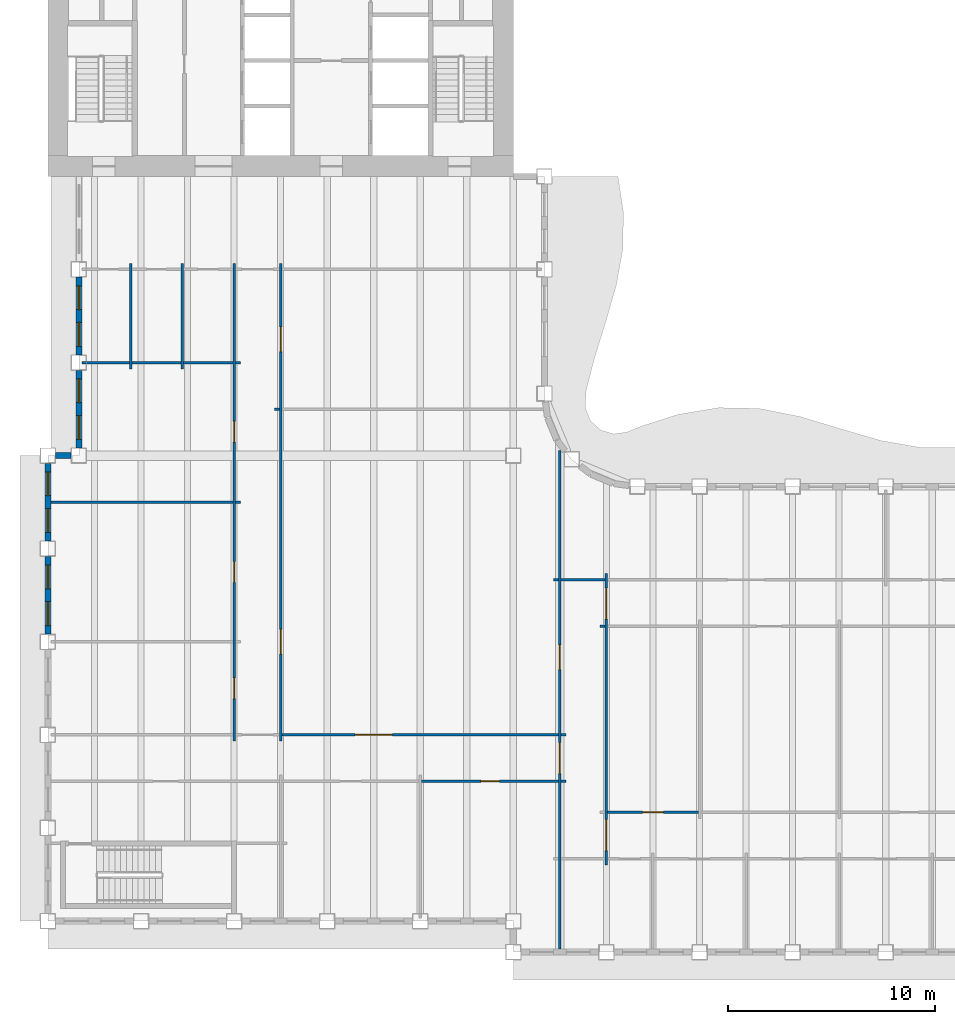
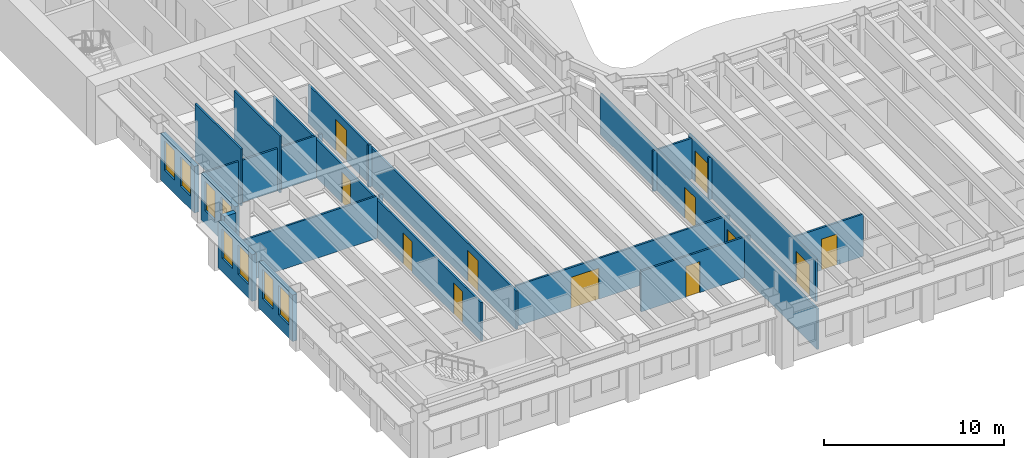
# One storey, part 4 of 16: 26 walls, 12 doors, 8 windows, 20 openings.
"""IFC4 building model written with IfcOpenShell, lengths in metres."""

import ifcopenshell
import ifcopenshell.guid

model = None  # the IFC model being written
_history = None  # IfcOwnerHistory: only IFC2X3 demands one
_inside = {}  # id of a spatial element -> (the spatial element, [elements in it])
_under = {}  # id of a project, library or spatial element -> (it, [spatial elements below it])
_declared = {}  # id of a project -> (the project, [libraries it declares])
_typed = {}  # id of a type object -> (the type object, [elements of that type])
_made_of = {}  # id of a material, layer set ... -> (it, [elements and type objects made of it])


def new_model(schema):
    """Start an empty IFC model of exactly this schema.

    Asked for "IFC4X3", IfcOpenShell would pick the latest addendum, in which some entities
    have other attributes; the version numbers below select the first issue.
    IFC2X3 requires an IfcOwnerHistory on every rooted entity: one is made here for all.
    """
    global model, _history
    if schema == "IFC4X3":
        model = ifcopenshell.file(schema_version=(4, 3, 0, 0))
    else:
        model = ifcopenshell.file(schema=schema)
    _inside.clear()
    _under.clear()
    _declared.clear()
    _typed.clear()
    _made_of.clear()
    _history = None
    if model.schema == "IFC2X3":
        org = make("IfcOrganization", Name="unknown")
        user = make(
            "IfcPersonAndOrganization",
            ThePerson=make("IfcPerson", FamilyName="unknown"),
            TheOrganization=org,
        )
        app = make(
            "IfcApplication",
            ApplicationDeveloper=org,
            Version="unknown",
            ApplicationFullName="unknown",
            ApplicationIdentifier="unknown",
        )
        _history = make(
            "IfcOwnerHistory",
            OwningUser=user,
            OwningApplication=app,
            ChangeAction="ADDED",
            CreationDate=0,
        )
    return model


def make(cls, **values):
    """One entity of the class cls with the attributes given. An attribute that is None is left unset."""
    return model.create_entity(
        cls, **{name: value for name, value in values.items() if value is not None}
    )


def rooted(cls, **values):
    """An entity with a GlobalId (a new one), such as an element, a storey or a relation."""
    return make(cls, GlobalId=ifcopenshell.guid.new(), OwnerHistory=_history, **values)


def si_unit(unit_type, name, prefix=None):
    """IfcSIUnit, for example si_unit("LENGTHUNIT", "METRE", prefix="MILLI")."""
    return make("IfcSIUnit", UnitType=unit_type, Prefix=prefix, Name=name)


def assignment(units):
    """IfcUnitAssignment: the units of a project."""
    return None if units is None else make("IfcUnitAssignment", Units=units)


def point(xyz):
    """IfcCartesianPoint."""
    return None if xyz is None else make("IfcCartesianPoint", Coordinates=xyz)


def direction(xyz):
    """IfcDirection."""
    return None if xyz is None else make("IfcDirection", DirectionRatios=xyz)


def frame(location, z_axis=None, x_axis=None):
    """IfcAxis2Placement3D, a coordinate frame: its origin and axes. An axis left out is left unset."""
    return make(
        "IfcAxis2Placement3D",
        Location=point(location),
        Axis=direction(z_axis),
        RefDirection=direction(x_axis),
    )


def frame_2d(location, x_axis=None):
    """IfcAxis2Placement2D, a coordinate frame in the plane: its origin and x axis."""
    return make(
        "IfcAxis2Placement2D", Location=point(location), RefDirection=direction(x_axis)
    )


def origin():
    """The frame at (0, 0, 0) with its axes left unset."""
    return frame((0.0, 0.0, 0.0))


def place(relative_to, where):
    """IfcLocalPlacement: puts the frame where relative to a parent placement (None: the world)."""
    return make(
        "IfcLocalPlacement", PlacementRelTo=relative_to, RelativePlacement=where
    )


def context(
    kind, dimensions, precision=None, world=None, true_north=None, identifier=None
):
    """IfcGeometricRepresentationContext, for example the 3D "Model" context."""
    return make(
        "IfcGeometricRepresentationContext",
        ContextIdentifier=identifier,
        ContextType=kind,
        CoordinateSpaceDimension=dimensions,
        Precision=precision,
        WorldCoordinateSystem=world,
        TrueNorth=true_north,
    )


def subcontext(parent, identifier, kind, view, scale=None):
    """IfcGeometricRepresentationSubContext, for example "Body" below "Model"."""
    return make(
        "IfcGeometricRepresentationSubContext",
        ContextIdentifier=identifier,
        ContextType=kind,
        ParentContext=parent,
        TargetScale=scale,
        TargetView=view,
    )


def project(units=None, contexts=None):
    """IfcProject with its units and contexts."""
    return rooted(
        "IfcProject",
        Name="project",
        RepresentationContexts=contexts,
        UnitsInContext=assignment(units),
    )


def spatial(cls, under=None, at=None, **own):
    """A site, building, storey or space (cls), placed at a placement, below another one or the project."""
    s = rooted(cls, ObjectPlacement=at, **own)
    if under is not None:
        _under.setdefault(under.id(), (under, []))[1].append(s)
    return s


def profile(cls, at=None, kind="AREA", **sizes):
    """A parametric profile (cls). Its sizes go by their IFC names, for example OverallWidth=200.0."""
    return make(cls, ProfileType=kind, Position=at, **sizes)


def rectangle(**sizes):
    """IfcRectangleProfileDef."""
    return profile("IfcRectangleProfileDef", **sizes)


def extrude(swept, where, along, depth):
    """IfcExtrudedAreaSolid: the profile swept, set in the frame where, extruded along a direction by depth."""
    return make(
        "IfcExtrudedAreaSolid",
        SweptArea=swept,
        Position=where,
        ExtrudedDirection=direction(along),
        Depth=depth,
    )


def shape(context_of_items, identifier, shape_type, items):
    """IfcShapeRepresentation: the items that make up one representation, for example the "Body"."""
    return make(
        "IfcShapeRepresentation",
        ContextOfItems=context_of_items,
        RepresentationIdentifier=identifier,
        RepresentationType=shape_type,
        Items=items,
    )


def material(Name=None, Category=None):
    """IfcMaterial."""
    return make("IfcMaterial", Name=Name, Category=Category)


def layer(
    of_material, thickness, ventilated=None, Name=None, Category=None, Priority=None
):
    """IfcMaterialLayer: one layer of a wall or slab, of a material (None: an air gap)."""
    return make(
        "IfcMaterialLayer",
        Material=of_material,
        LayerThickness=thickness,
        IsVentilated=ventilated,
        Name=Name,
        Category=Category,
        Priority=Priority,
    )


def layer_set(layers, Name=None):
    """IfcMaterialLayerSet."""
    return make("IfcMaterialLayerSet", MaterialLayers=layers, LayerSetName=Name)


def made_of(thing, what):
    """Note that an element or type object is made of a material, layer set ...; save() writes the relation."""
    if what is not None:
        _made_of.setdefault(what.id(), (what, []))[1].append(thing)
    return thing


def type_object(cls, material=None, **own):
    """A type object (cls), such as IfcWallType, which elements share."""
    return made_of(rooted(cls, **own), material)


def element(
    cls,
    number,
    at=None,
    inside=None,
    cuts=None,
    type_object=None,
    material=None,
    context=None,
    identifier="Body",
    shape_type=None,
    held_by="IfcProductDefinitionShape",
    body=None,
    shapes=None,
    **own,
):
    """One element of the class cls, such as IfcWall. Its Tag is "e" and its number.

    at: its placement. inside: the storey or other place that contains it. cuts: it is an
    opening in that element (IfcRelVoidsElement). A single representation is given by context,
    identifier, shape_type and body (its items); several are given by shapes. held_by: the class
    of the entity that holds the representations. save() writes the other relations.
    """
    e = rooted(cls, Tag="e%d" % number, ObjectPlacement=at, **own)
    if body is not None:
        shapes = [shape(context, identifier, shape_type, body)]
    if shapes is not None:
        e.Representation = make(held_by, Representations=shapes)
    if inside is not None:
        _inside.setdefault(inside.id(), (inside, []))[1].append(e)
    if cuts is not None:
        rooted(
            "IfcRelVoidsElement", RelatingBuildingElement=cuts, RelatedOpeningElement=e
        )
    if type_object is not None:
        _typed.setdefault(type_object.id(), (type_object, []))[1].append(e)
    return made_of(e, material)


def fill(opening, filler):
    """IfcRelFillsElement: the door or window that sits in an opening."""
    return rooted(
        "IfcRelFillsElement",
        RelatingOpeningElement=opening,
        RelatedBuildingElement=filler,
    )


def aggregate(whole, parts):
    """IfcRelAggregates: a whole, such as a stair, and the parts it consists of."""
    return rooted("IfcRelAggregates", RelatingObject=whole, RelatedObjects=parts)


def save(model, path):
    """Write the relations noted so far, then the file.

    IfcRelAggregates (storeys below a building ...), IfcRelContainedInSpatialStructure (elements
    in a storey), IfcRelDefinesByType, IfcRelAssociatesMaterial and IfcRelDeclares: one each for
    every whole, place, type object, material and project.
    """
    for whole, parts in _under.values():
        aggregate(whole, parts)
    for where, things in _inside.values():
        rooted(
            "IfcRelContainedInSpatialStructure",
            RelatedElements=things,
            RelatingStructure=where,
        )
    for kind, things in _typed.values():
        rooted("IfcRelDefinesByType", RelatedObjects=things, RelatingType=kind)
    for what, things in _made_of.values():
        rooted("IfcRelAssociatesMaterial", RelatedObjects=things, RelatingMaterial=what)
    for by, libraries in _declared.values():
        rooted("IfcRelDeclares", RelatingContext=by, RelatedDefinitions=libraries)
    model.write(path)


model = new_model("IFC4")

# Units and contexts
model_context = context("Model", 3, precision=1e-05, world=origin(), true_north=direction((0.0, 1.0)))
body_context = subcontext(model_context, "Body", "Model", "MODEL_VIEW")
ifc_project = project(units=[si_unit("LENGTHUNIT", "METRE"), si_unit("AREAUNIT", "SQUARE_METRE"), si_unit("VOLUMEUNIT", "CUBIC_METRE"), si_unit("PLANEANGLEUNIT", "RADIAN"), si_unit("MASSUNIT", "GRAM", prefix="KILO")], contexts=[model_context])

# Site, building, storey
site_placement = place(None, origin())
site = spatial("IfcSite", under=ifc_project, at=site_placement, CompositionType="ELEMENT")
building_placement = place(site_placement, origin())
building = spatial("IfcBuilding", under=site, at=building_placement, Name="Sennacour Bend Tower", CompositionType="ELEMENT")
storey_placement = place(building_placement, frame((0.0, 0.0, 223.0)))
storey = spatial("IfcBuildingStorey", under=building, at=storey_placement, Name="L51", CompositionType="ELEMENT", Elevation=223.0)

# Walls
ifc_material_1 = material(Name="Plasterboard partition on steel studs", Category="steel")
ifc_layer_1 = layer(ifc_material_1, 0.1201171875, Name="Plasterboard partition on steel studs", Category="steel")
ifc_layer_set_1 = layer_set([ifc_layer_1], Name="Plasterboard partition on steel studs")
wall_type_1 = type_object("IfcWallType", Name="Partition 120", PredefinedType="PARTITIONING", material=ifc_layer_set_1)
for number, where, z_axis, x_axis, name in (
    (1, (4.0, 26.699951171875, 0.0), (0.0, 0.0, 1.0), (0.0, 1.0, 0.0), "P-L51-W005a"),
    (2, (6.5, 26.699951171875, 0.0), (0.0, 0.0, 1.0), (0.0, 1.0, 0.0), "P-L51-W008a"),
):
    element("IfcWall", number, at=place(storey_placement, frame(where, z_axis=z_axis, x_axis=x_axis)), inside=storey, type_object=wall_type_1, Name=name, PredefinedType="PARTITIONING", context=body_context, shape_type="SweptSolid", body=[
        extrude(rectangle(XDim=5.10009765625, YDim=0.1201171875, at=frame_2d((2.550048828125, 0.0))), origin(), (0.0, 0.0, 1.0), 3.85009765625),
    ])

# Wall, openings, doors
wall_1_placement = place(storey_placement, frame((9.0, 8.699951171875, 0.0), z_axis=(0.0, 0.0, 1.0), x_axis=(0.0, 1.0, 0.0)))
wall_1 = element("IfcWall", 3, at=wall_1_placement, inside=storey, type_object=wall_type_1, Name="P-L51-W011a", PredefinedType="PARTITIONING", context=body_context, shape_type="SweptSolid", body=[
    extrude(rectangle(XDim=23.10009765625, YDim=0.1201171875, at=frame_2d((11.550048828125, 0.0))), origin(), (0.0, 0.0, 1.0), 2.60009765625),
])
opening_1_placement = place(wall_1_placement, frame((2.050048828125, 0.0, 0.0)))
opening_1 = element("IfcOpeningElement", 4, at=opening_1_placement, cuts=wall_1, Name="Opening OD2", PredefinedType="OPENING", context=body_context, shape_type="SweptSolid", body=[
    extrude(rectangle(XDim=1.0, YDim=2.10009765625, at=frame_2d((0.5, 1.050048828125))), frame((0.0, 0.070068359375, 0.0), z_axis=(0.0, -1.0, 0.0), x_axis=(1.0, 0.0, 0.0)), (0.0, 0.0, 1.0), 0.14013671875),
])
opening_2_placement = place(wall_1_placement, frame((7.675048828125, 0.0, 0.0)))
opening_2 = element("IfcOpeningElement", 5, at=opening_2_placement, cuts=wall_1, Name="Opening OD2", PredefinedType="OPENING", context=body_context, shape_type="SweptSolid", body=[
    extrude(rectangle(XDim=1.0, YDim=2.10009765625, at=frame_2d((0.5, 1.050048828125))), frame((0.0, 0.070068359375, 0.0), z_axis=(0.0, -1.0, 0.0), x_axis=(1.0, 0.0, 0.0)), (0.0, 0.0, 1.0), 0.14013671875),
])
opening_3_placement = place(wall_1_placement, frame((14.455078125, 0.0, 0.0)))
opening_3 = element("IfcOpeningElement", 6, at=opening_3_placement, cuts=wall_1, Name="Opening OD2", PredefinedType="OPENING", context=body_context, shape_type="SweptSolid", body=[
    extrude(rectangle(XDim=1.0, YDim=2.10009765625, at=frame_2d((0.5, 1.050048828125))), frame((0.0, 0.070068359375, 0.0), z_axis=(0.0, -1.0, 0.0), x_axis=(1.0, 0.0, 0.0)), (0.0, 0.0, 1.0), 0.14013671875),
])
ifc_material_2 = material(Name="Timber", Category="wood")
door_type_1 = type_object("IfcDoorType", Name="DR-OFFICE-1000", OperationType="NOTDEFINED", PredefinedType="DOOR", material=ifc_material_2)
door_1_placement = place(opening_1_placement, origin())
door_1 = element("IfcDoor", 7, at=door_1_placement, inside=storey, type_object=door_type_1, Name="Door", OperationType="SINGLE_SWING_LEFT", OverallHeight=2.10009765625, OverallWidth=1.0, PredefinedType="DOOR", context=body_context, shape_type="SweptSolid", body=[
    extrude(rectangle(XDim=1.0, YDim=2.10009765625, at=frame_2d((0.5, 1.050048828125))), frame((0.0, 0.02490234375, 0.0), z_axis=(0.0, -1.0, 0.0), x_axis=(1.0, 0.0, 0.0)), (0.0, 0.0, 1.0), 0.050048828125),
])
fill(opening_1, door_1)
door_2_placement = place(opening_2_placement, origin())
door_2 = element("IfcDoor", 8, at=door_2_placement, inside=storey, type_object=door_type_1, Name="Door", OperationType="SINGLE_SWING_LEFT", OverallHeight=2.10009765625, OverallWidth=1.0, PredefinedType="DOOR", context=body_context, shape_type="SweptSolid", body=[
    extrude(rectangle(XDim=1.0, YDim=2.10009765625, at=frame_2d((0.5, 1.050048828125))), frame((0.0, 0.02490234375, 0.0), z_axis=(0.0, -1.0, 0.0), x_axis=(1.0, 0.0, 0.0)), (0.0, 0.0, 1.0), 0.050048828125),
])
fill(opening_2, door_2)
door_3_placement = place(opening_3_placement, origin())
door_3 = element("IfcDoor", 9, at=door_3_placement, inside=storey, type_object=door_type_1, Name="Door", OperationType="SINGLE_SWING_RIGHT", OverallHeight=2.10009765625, OverallWidth=1.0, PredefinedType="DOOR", context=body_context, shape_type="SweptSolid", body=[
    extrude(rectangle(XDim=1.0, YDim=2.10009765625, at=frame_2d((0.5, 1.050048828125))), frame((0.0, 0.02490234375, 0.0), z_axis=(0.0, -1.0, 0.0), x_axis=(1.0, 0.0, 0.0)), (0.0, 0.0, 1.0), 0.050048828125),
])
fill(opening_3, door_3)

wall_2_placement = place(storey_placement, frame((11.25, 8.699951171875, 0.0), z_axis=(0.0, 0.0, 1.0), x_axis=(0.0, 1.0, 0.0)))
wall_2 = element("IfcWall", 10, at=wall_2_placement, inside=storey, type_object=wall_type_1, Name="P-L51-W015a", PredefinedType="PARTITIONING", context=body_context, shape_type="SweptSolid", body=[
    extrude(rectangle(XDim=23.10009765625, YDim=0.1201171875, at=frame_2d((11.550048828125, 0.0))), origin(), (0.0, 0.0, 1.0), 2.60009765625),
])
opening_4_placement = place(wall_2_placement, frame((18.824951171875, 0.0, 0.0)))
opening_4 = element("IfcOpeningElement", 11, at=opening_4_placement, cuts=wall_2, Name="Opening MD", PredefinedType="OPENING", context=body_context, shape_type="SweptSolid", body=[
    extrude(rectangle(XDim=1.199951171875, YDim=2.10009765625, at=frame_2d((0.60009765625, 1.050048828125))), frame((0.0, 0.070068359375, 0.0), z_axis=(0.0, -1.0, 0.0), x_axis=(1.0, 0.0, 0.0)), (0.0, 0.0, 1.0), 0.14013671875),
])
opening_5_placement = place(wall_2_placement, frame((4.199951171875, 0.0, 0.0)))
opening_5 = element("IfcOpeningElement", 12, at=opening_5_placement, cuts=wall_2, Name="Opening OD", PredefinedType="OPENING", context=body_context, shape_type="SweptSolid", body=[
    extrude(rectangle(XDim=1.199951171875, YDim=2.10009765625, at=frame_2d((0.60009765625, 1.050048828125))), frame((0.0, 0.070068359375, 0.0), z_axis=(0.0, -1.0, 0.0), x_axis=(1.0, 0.0, 0.0)), (0.0, 0.0, 1.0), 0.14013671875),
])
door_type_2 = type_object("IfcDoorType", Name="DR-MEETING-1200", OperationType="NOTDEFINED", PredefinedType="DOOR", material=ifc_material_2)
door_4_placement = place(opening_4_placement, origin())
door_4 = element("IfcDoor", 13, at=door_4_placement, inside=storey, type_object=door_type_2, Name="Door", OperationType="SINGLE_SWING_RIGHT", OverallHeight=2.10009765625, OverallWidth=1.199951171875, PredefinedType="DOOR", context=body_context, shape_type="SweptSolid", body=[
    extrude(rectangle(XDim=1.199951171875, YDim=2.10009765625, at=frame_2d((0.60009765625, 1.050048828125))), frame((0.0, 0.02490234375, 0.0), z_axis=(0.0, -1.0, 0.0), x_axis=(1.0, 0.0, 0.0)), (0.0, 0.0, 1.0), 0.050048828125),
])
fill(opening_4, door_4)
door_type_3 = type_object("IfcDoorType", Name="DR-OFFICE-1200", OperationType="NOTDEFINED", PredefinedType="DOOR", material=ifc_material_2)
door_5_placement = place(opening_5_placement, origin())
door_5 = element("IfcDoor", 14, at=door_5_placement, inside=storey, type_object=door_type_3, Name="Door", OperationType="SINGLE_SWING_LEFT", OverallHeight=2.10009765625, OverallWidth=1.199951171875, PredefinedType="DOOR", context=body_context, shape_type="SweptSolid", body=[
    extrude(rectangle(XDim=1.199951171875, YDim=2.10009765625, at=frame_2d((0.60009765625, 1.050048828125))), frame((0.0, 0.02490234375, 0.0), z_axis=(0.0, -1.0, 0.0), x_axis=(1.0, 0.0, 0.0)), (0.0, 0.0, 1.0), 0.050048828125),
])
fill(opening_5, door_5)

# Wall, opening, door
wall_3_placement = place(storey_placement, frame((27.06005859375, 5.25, 0.0), z_axis=(0.0, 0.0, 1.0), x_axis=(1.0, 0.0, 0.0)))
wall_3 = element("IfcWall", 15, at=wall_3_placement, inside=storey, type_object=wall_type_1, Name="P-L51-W060ab", PredefinedType="PARTITIONING", context=body_context, shape_type="SweptSolid", body=[
    extrude(rectangle(XDim=4.3798828125, YDim=0.1201171875, at=frame_2d((2.18994140625, 0.0))), origin(), (0.0, 0.0, 1.0), 2.8701171875),
])
opening_6_placement = place(wall_3_placement, frame((1.68994140625, 0.0, 0.0)))
opening_6 = element("IfcOpeningElement", 16, at=opening_6_placement, cuts=wall_3, Name="Opening OD2", PredefinedType="OPENING", context=body_context, shape_type="SweptSolid", body=[
    extrude(rectangle(XDim=1.0, YDim=2.10009765625, at=frame_2d((0.5, 1.050048828125))), frame((0.0, 0.070068359375, 0.0), z_axis=(0.0, -1.0, 0.0), x_axis=(1.0, 0.0, 0.0)), (0.0, 0.0, 1.0), 0.14013671875),
])
door_6_placement = place(opening_6_placement, origin())
door_6 = element("IfcDoor", 17, at=door_6_placement, inside=storey, type_object=door_type_1, Name="Door", OperationType="SINGLE_SWING_LEFT", OverallHeight=2.10009765625, OverallWidth=1.0, PredefinedType="DOOR", context=body_context, shape_type="SweptSolid", body=[
    extrude(rectangle(XDim=1.0, YDim=2.10009765625, at=frame_2d((0.5, 1.050048828125))), frame((0.0, 0.02490234375, 0.0), z_axis=(0.0, -1.0, 0.0), x_axis=(1.0, 0.0, 0.0)), (0.0, 0.0, 1.0), 0.050048828125),
])
fill(opening_6, door_6)

# Wall
wall_4_placement = place(storey_placement, frame((24.81005859375, 6.75, 0.0), z_axis=(0.0, 0.0, 1.0), x_axis=(1.0, 0.0, 0.0)))
element("IfcWall", 18, at=wall_4_placement, inside=storey, type_object=wall_type_1, Name="P-L51-W062ad", PredefinedType="PARTITIONING", context=body_context, shape_type="SweptSolid", body=[
    extrude(rectangle(XDim=0.239990234375, YDim=0.1201171875, at=frame_2d((0.1201171875, 0.0))), origin(), (0.0, 0.0, 1.0), 2.760009765625),
])

# Wall, opening, door
wall_5_placement = place(storey_placement, frame((11.31005859375, 9.0, 0.0), z_axis=(0.0, 0.0, 1.0), x_axis=(1.0, 0.0, 0.0)))
wall_5 = element("IfcWall", 19, at=wall_5_placement, inside=storey, type_object=wall_type_1, Name="P-L51-W064ac", PredefinedType="PARTITIONING", context=body_context, shape_type="SweptSolid", body=[
    extrude(rectangle(XDim=13.3798828125, YDim=0.1201171875, at=frame_2d((6.68994140625, 0.0))), origin(), (0.0, 0.0, 1.0), 2.760009765625),
])
opening_7_placement = place(wall_5_placement, frame((3.539794921875, 0.0, 0.0)))
opening_7 = element("IfcOpeningElement", 20, at=opening_7_placement, cuts=wall_5, Name="Opening OD3", PredefinedType="OPENING", context=body_context, shape_type="SweptSolid", body=[
    extrude(rectangle(XDim=1.800048828125, YDim=2.10009765625, at=frame_2d((0.89990234375, 1.050048828125))), frame((0.0, 0.070068359375, 0.0), z_axis=(0.0, -1.0, 0.0), x_axis=(1.0, 0.0, 0.0)), (0.0, 0.0, 1.0), 0.14013671875),
])
door_type_4 = type_object("IfcDoorType", Name="DR-OFFICE-1800", OperationType="NOTDEFINED", PredefinedType="DOOR", material=ifc_material_2)
door_7_placement = place(opening_7_placement, origin())
door_7 = element("IfcDoor", 21, at=door_7_placement, inside=storey, type_object=door_type_4, Name="Door", OperationType="DOUBLE_DOOR_SINGLE_SWING", OverallHeight=2.10009765625, OverallWidth=1.800048828125, PredefinedType="DOOR", context=body_context, shape_type="SweptSolid", body=[
    extrude(rectangle(XDim=1.800048828125, YDim=2.10009765625, at=frame_2d((0.89990234375, 1.050048828125))), frame((0.0, 0.02490234375, 0.0), z_axis=(0.0, -1.0, 0.0), x_axis=(1.0, 0.0, 0.0)), (0.0, 0.0, 1.0), 0.050048828125),
])
fill(opening_7, door_7)

# Walls
wall_6_placement = place(storey_placement, frame((24.81005859375, 9.0, 0.0), z_axis=(0.0, 0.0, 1.0), x_axis=(1.0, 0.0, 0.0)))
element("IfcWall", 22, at=wall_6_placement, inside=storey, type_object=wall_type_1, Name="P-L51-W064ad", PredefinedType="PARTITIONING", context=body_context, shape_type="SweptSolid", body=[
    extrude(rectangle(XDim=0.239990234375, YDim=0.1201171875, at=frame_2d((0.1201171875, 0.0))), origin(), (0.0, 0.0, 1.0), 2.760009765625),
])
wall_7_placement = place(storey_placement, frame((26.699951171875, 14.25, 0.0), z_axis=(0.0, 0.0, 1.0), x_axis=(1.0, 0.0, 0.0)))
element("IfcWall", 23, at=wall_7_placement, inside=storey, type_object=wall_type_1, Name="P-L51-W071aa", PredefinedType="PARTITIONING", context=body_context, shape_type="SweptSolid", body=[
    extrude(rectangle(XDim=0.239990234375, YDim=0.1201171875, at=frame_2d((0.1201171875, 0.0))), origin(), (0.0, 0.0, 1.0), 2.8701171875),
])
wall_8_placement = place(storey_placement, frame((24.449951171875, 16.5, 0.0), z_axis=(0.0, 0.0, 1.0), x_axis=(1.0, 0.0, 0.0)))
element("IfcWall", 24, at=wall_8_placement, inside=storey, type_object=wall_type_1, Name="P-L51-W074aa", PredefinedType="PARTITIONING", context=body_context, shape_type="SweptSolid", body=[
    extrude(rectangle(XDim=0.239990234375, YDim=0.1201171875, at=frame_2d((0.1201171875, 0.0))), origin(), (0.0, 0.0, 1.0), 2.760009765625),
])
wall_9_placement = place(storey_placement, frame((24.81005859375, 16.5, 0.0), z_axis=(0.0, 0.0, 1.0), x_axis=(1.0, 0.0, 0.0)))
element("IfcWall", 25, at=wall_9_placement, inside=storey, type_object=wall_type_1, Name="P-L51-W074ab", PredefinedType="PARTITIONING", context=body_context, shape_type="SweptSolid", body=[
    extrude(rectangle(XDim=2.1298828125, YDim=0.1201171875, at=frame_2d((1.06494140625, 0.0))), origin(), (0.0, 0.0, 1.0), 2.760009765625),
])
wall_10_placement = place(storey_placement, frame((0.14990234375, 20.25, 0.0), z_axis=(0.0, 0.0, 1.0), x_axis=(1.0, 0.0, 0.0)))
element("IfcWall", 26, at=wall_10_placement, inside=storey, type_object=wall_type_1, Name="P-L51-W079aa", PredefinedType="PARTITIONING", context=body_context, shape_type="SweptSolid", body=[
    extrude(rectangle(XDim=8.7900390625, YDim=0.1201171875, at=frame_2d((4.39501953125, 0.0))), origin(), (0.0, 0.0, 1.0), 2.8701171875),
])
for number, where, z_axis, x_axis, name in (
    (27, (9.06005859375, 20.25, 0.0), (0.0, 0.0, 1.0), (1.0, 0.0, 0.0), "P-L51-W079ab"),
    (28, (10.949951171875, 24.75, 0.0), (0.0, 0.0, 1.0), (1.0, 0.0, 0.0), "P-L51-W081aa"),
):
    element("IfcWall", number, at=place(storey_placement, frame(where, z_axis=z_axis, x_axis=x_axis)), inside=storey, type_object=wall_type_1, Name=name, PredefinedType="PARTITIONING", context=body_context, shape_type="SweptSolid", body=[
        extrude(rectangle(XDim=0.239990234375, YDim=0.1201171875, at=frame_2d((0.1201171875, 0.0))), origin(), (0.0, 0.0, 1.0), 2.8701171875),
    ])
wall_11_placement = place(storey_placement, frame((1.64990234375, 27.0, 0.0), z_axis=(0.0, 0.0, 1.0), x_axis=(1.0, 0.0, 0.0)))
element("IfcWall", 29, at=wall_11_placement, inside=storey, type_object=wall_type_1, Name="P-L51-W083aa", PredefinedType="PARTITIONING", context=body_context, shape_type="SweptSolid", body=[
    extrude(rectangle(XDim=2.2900390625, YDim=0.1201171875, at=frame_2d((1.14501953125, 0.0))), origin(), (0.0, 0.0, 1.0), 2.8701171875),
])
for number, where, z_axis, x_axis, name in (
    (30, (4.06005859375, 27.0, 0.0), (0.0, 0.0, 1.0), (1.0, 0.0, 0.0), "P-L51-W083ab"),
    (31, (6.56005859375, 27.0, 0.0), (0.0, 0.0, 1.0), (1.0, 0.0, 0.0), "P-L51-W083ac"),
):
    element("IfcWall", number, at=place(storey_placement, frame(where, z_axis=z_axis, x_axis=x_axis)), inside=storey, type_object=wall_type_1, Name=name, PredefinedType="PARTITIONING", context=body_context, shape_type="SweptSolid", body=[
        extrude(rectangle(XDim=2.3798828125, YDim=0.1201171875, at=frame_2d((1.18994140625, 0.0))), origin(), (0.0, 0.0, 1.0), 2.8701171875),
    ])
wall_12_placement = place(storey_placement, frame((9.06005859375, 27.0, 0.0), z_axis=(0.0, 0.0, 1.0), x_axis=(1.0, 0.0, 0.0)))
element("IfcWall", 32, at=wall_12_placement, inside=storey, type_object=wall_type_1, Name="P-L51-W083ad", PredefinedType="PARTITIONING", context=body_context, shape_type="SweptSolid", body=[
    extrude(rectangle(XDim=0.239990234375, YDim=0.1201171875, at=frame_2d((0.1201171875, 0.0))), origin(), (0.0, 0.0, 1.0), 2.8701171875),
])

# Wall, openings, doors
ifc_layer_2 = layer(ifc_material_1, 0.1201171875, Name="Plasterboard partition on steel studs", Category="steel")
ifc_layer_set_2 = layer_set([ifc_layer_2], Name="Plasterboard partition on steel studs")
wall_type_2 = type_object("IfcWallType", Name="Partition 120 EI 30", PredefinedType="PARTITIONING", material=ifc_layer_set_2)
wall_13_placement = place(storey_placement, frame((24.75, -1.35009765625, 0.0), z_axis=(0.0, 0.0, 1.0), x_axis=(0.0, 1.0, 0.0)))
wall_13 = element("IfcWall", 33, at=wall_13_placement, inside=storey, type_object=wall_type_2, Name="P-L51-W026a", PredefinedType="PARTITIONING", context=body_context, shape_type="SweptSolid", body=[
    extrude(rectangle(XDim=24.1005859375, YDim=0.1201171875, at=frame_2d((12.05029296875, 0.0))), origin(), (0.0, 0.0, 1.0), 2.760009765625),
])
opening_8_placement = place(wall_13_placement, frame((8.47509765625, 0.0, 0.0)))
opening_8 = element("IfcOpeningElement", 34, at=opening_8_placement, cuts=wall_13, Name="Opening KD", PredefinedType="OPENING", context=body_context, shape_type="SweptSolid", body=[
    extrude(rectangle(XDim=1.5, YDim=2.10009765625, at=frame_2d((0.75, 1.050048828125))), frame((0.0, 0.070068359375, 0.0), z_axis=(0.0, -1.0, 0.0), x_axis=(1.0, 0.0, 0.0)), (0.0, 0.0, 1.0), 0.14013671875),
])
opening_9_placement = place(wall_13_placement, frame((13.5, 0.0, 0.0)))
opening_9 = element("IfcOpeningElement", 35, at=opening_9_placement, cuts=wall_13, Name="Opening OD", PredefinedType="OPENING", context=body_context, shape_type="SweptSolid", body=[
    extrude(rectangle(XDim=1.199951171875, YDim=2.10009765625, at=frame_2d((0.60009765625, 1.050048828125))), frame((0.0, 0.070068359375, 0.0), z_axis=(0.0, -1.0, 0.0), x_axis=(1.0, 0.0, 0.0)), (0.0, 0.0, 1.0), 0.14013671875),
])
ifc_material_3 = material(Name="Painted steel", Category="steel")
door_type_5 = type_object("IfcDoorType", Name="DR-CORRIDOR-1500", OperationType="NOTDEFINED", PredefinedType="DOOR", material=ifc_material_3)
door_8_placement = place(opening_8_placement, origin())
door_8 = element("IfcDoor", 36, at=door_8_placement, inside=storey, type_object=door_type_5, Name="Door", OperationType="SINGLE_SWING_LEFT", OverallHeight=2.10009765625, OverallWidth=1.5, PredefinedType="DOOR", context=body_context, shape_type="SweptSolid", body=[
    extrude(rectangle(XDim=1.5, YDim=2.10009765625, at=frame_2d((0.75, 1.050048828125))), frame((0.0, 0.02490234375, 0.0), z_axis=(0.0, -1.0, 0.0), x_axis=(1.0, 0.0, 0.0)), (0.0, 0.0, 1.0), 0.050048828125),
])
fill(opening_8, door_8)
door_9_placement = place(opening_9_placement, origin())
door_9 = element("IfcDoor", 37, at=door_9_placement, inside=storey, type_object=door_type_3, Name="Door", OperationType="SINGLE_SWING_RIGHT", OverallHeight=2.10009765625, OverallWidth=1.199951171875, PredefinedType="DOOR", context=body_context, shape_type="SweptSolid", body=[
    extrude(rectangle(XDim=1.199951171875, YDim=2.10009765625, at=frame_2d((0.60009765625, 1.050048828125))), frame((0.0, 0.02490234375, 0.0), z_axis=(0.0, -1.0, 0.0), x_axis=(1.0, 0.0, 0.0)), (0.0, 0.0, 1.0), 0.050048828125),
])
fill(opening_9, door_9)

wall_14_placement = place(storey_placement, frame((27.0, 2.699951171875, 0.0), z_axis=(0.0, 0.0, 1.0), x_axis=(0.0, 1.0, 0.0)))
wall_14 = element("IfcWall", 38, at=wall_14_placement, inside=storey, type_object=wall_type_2, Name="P-L51-W027a", PredefinedType="PARTITIONING", context=body_context, shape_type="SweptSolid", body=[
    extrude(rectangle(XDim=14.10009765625, YDim=0.1201171875, at=frame_2d((7.050048828125, 0.0))), origin(), (0.0, 0.0, 1.0), 2.8701171875),
])
opening_10_placement = place(wall_14_placement, frame((0.705078125, 0.0, 0.0)))
opening_10 = element("IfcOpeningElement", 39, at=opening_10_placement, cuts=wall_14, Name="Opening KD", PredefinedType="OPENING", context=body_context, shape_type="SweptSolid", body=[
    extrude(rectangle(XDim=1.5, YDim=2.10009765625, at=frame_2d((0.75, 1.050048828125))), frame((0.0, 0.070068359375, 0.0), z_axis=(0.0, -1.0, 0.0), x_axis=(1.0, 0.0, 0.0)), (0.0, 0.0, 1.0), 0.14013671875),
])
opening_11_placement = place(wall_14_placement, frame((11.89501953125, 0.0, 0.0)))
opening_11 = element("IfcOpeningElement", 40, at=opening_11_placement, cuts=wall_14, Name="Opening KD", PredefinedType="OPENING", context=body_context, shape_type="SweptSolid", body=[
    extrude(rectangle(XDim=1.5, YDim=2.10009765625, at=frame_2d((0.75, 1.050048828125))), frame((0.0, 0.070068359375, 0.0), z_axis=(0.0, -1.0, 0.0), x_axis=(1.0, 0.0, 0.0)), (0.0, 0.0, 1.0), 0.14013671875),
])
door_10_placement = place(opening_10_placement, origin())
door_10 = element("IfcDoor", 41, at=door_10_placement, inside=storey, type_object=door_type_5, Name="Door", OperationType="SINGLE_SWING_LEFT", OverallHeight=2.10009765625, OverallWidth=1.5, PredefinedType="DOOR", context=body_context, shape_type="SweptSolid", body=[
    extrude(rectangle(XDim=1.5, YDim=2.10009765625, at=frame_2d((0.75, 1.050048828125))), frame((0.0, 0.02490234375, 0.0), z_axis=(0.0, -1.0, 0.0), x_axis=(1.0, 0.0, 0.0)), (0.0, 0.0, 1.0), 0.050048828125),
])
fill(opening_10, door_10)
door_11_placement = place(opening_11_placement, origin())
door_11 = element("IfcDoor", 42, at=door_11_placement, inside=storey, type_object=door_type_5, Name="Door", OperationType="SINGLE_SWING_RIGHT", OverallHeight=2.10009765625, OverallWidth=1.5, PredefinedType="DOOR", context=body_context, shape_type="SweptSolid", body=[
    extrude(rectangle(XDim=1.5, YDim=2.10009765625, at=frame_2d((0.75, 1.050048828125))), frame((0.0, 0.02490234375, 0.0), z_axis=(0.0, -1.0, 0.0), x_axis=(1.0, 0.0, 0.0)), (0.0, 0.0, 1.0), 0.050048828125),
])
fill(opening_11, door_11)

# Wall, opening, door
ifc_layer_3 = layer(ifc_material_1, 0.1201171875, Name="Plasterboard partition on steel studs", Category="steel")
ifc_layer_set_3 = layer_set([ifc_layer_3], Name="Plasterboard partition on steel studs")
wall_type_3 = type_object("IfcWallType", Name="Partition 120 EI 60", PredefinedType="PARTITIONING", material=ifc_layer_set_3)
wall_15_placement = place(storey_placement, frame((18.06005859375, 6.75, 0.0), z_axis=(0.0, 0.0, 1.0), x_axis=(1.0, 0.0, 0.0)))
wall_15 = element("IfcWall", 43, at=wall_15_placement, inside=storey, type_object=wall_type_3, Name="P-L51-W062ac", PredefinedType="PARTITIONING", context=body_context, shape_type="SweptSolid", body=[
    extrude(rectangle(XDim=6.6298828125, YDim=0.1201171875, at=frame_2d((3.31494140625, 0.0))), origin(), (0.0, 0.0, 1.0), 2.760009765625),
])
opening_12_placement = place(wall_15_placement, frame((2.864990234375, 0.0, 0.0)))
opening_12 = element("IfcOpeningElement", 44, at=opening_12_placement, cuts=wall_15, Name="Opening SV", PredefinedType="OPENING", context=body_context, shape_type="SweptSolid", body=[
    extrude(rectangle(XDim=0.89990234375, YDim=2.10009765625, at=frame_2d((0.449951171875, 1.050048828125))), frame((0.0, 0.070068359375, 0.0), z_axis=(0.0, -1.0, 0.0), x_axis=(1.0, 0.0, 0.0)), (0.0, 0.0, 1.0), 0.14013671875),
])
door_type_6 = type_object("IfcDoorType", Name="DR-SERVICE-900", OperationType="NOTDEFINED", PredefinedType="DOOR", material=ifc_material_3)
door_12_placement = place(opening_12_placement, origin())
door_12 = element("IfcDoor", 45, at=door_12_placement, inside=storey, type_object=door_type_6, Name="Door", OperationType="SINGLE_SWING_LEFT", OverallHeight=2.10009765625, OverallWidth=0.89990234375, PredefinedType="DOOR", context=body_context, shape_type="SweptSolid", body=[
    extrude(rectangle(XDim=0.89990234375, YDim=2.10009765625, at=frame_2d((0.449951171875, 1.050048828125))), frame((0.0, 0.02490234375, 0.0), z_axis=(0.0, -1.0, 0.0), x_axis=(1.0, 0.0, 0.0)), (0.0, 0.0, 1.0), 0.050048828125),
])
fill(opening_12, door_12)

# Wall, openings, windows
ifc_material_4 = material(Name="Warm limestone cladding", Category="masonry")
ifc_layer_4 = layer(ifc_material_4, 0.050048828125, Name="Warm limestone cladding", Category="masonry")
ifc_material_5 = material(Name="Precast concrete C40/50", Category="concrete")
ifc_layer_5 = layer(ifc_material_5, 0.25, Name="Precast concrete C40/50", Category="concrete")
ifc_layer_set_4 = layer_set([ifc_layer_4, ifc_layer_5], Name="Precast concrete C40/50 with limestone cladding")
wall_type_4 = type_object("IfcWallType", Name="STONE-CLAD PRECAST SPANDREL 300", PredefinedType="STANDARD", material=ifc_layer_set_4)
wall_16_placement = place(storey_placement, frame((1.5, 31.125, 0.0), z_axis=(0.0, 0.0, 1.0), x_axis=(0.0, -1.0, 0.0)))
wall_16 = element("IfcWall", 46, at=wall_16_placement, inside=storey, type_object=wall_type_4, Name="Stone spandrel and pier wall L51 19.01", PredefinedType="STANDARD", context=body_context, shape_type="SweptSolid", body=[
    extrude(rectangle(XDim=3.75, YDim=0.300048828125, at=frame_2d((1.875, 0.0))), origin(), (0.0, 0.0, 1.0), 3.156982421875),
])
opening_13_placement = place(wall_16_placement, frame((0.41259765625, 0.0, 0.89990234375)))
opening_13 = element("IfcOpeningElement", 47, at=opening_13_placement, cuts=wall_16, Name="Opening W24", PredefinedType="OPENING", context=body_context, shape_type="SweptSolid", body=[
    extrude(rectangle(XDim=1.14990234375, YDim=2.0, at=frame_2d((0.574951171875, 1.0))), frame((0.0, 0.16015625, 0.0), z_axis=(0.0, -1.0, 0.0), x_axis=(1.0, 0.0, 0.0)), (0.0, 0.0, 1.0), 0.320068359375),
])
opening_14_placement = place(wall_16_placement, frame((2.1875, 0.0, 0.89990234375)))
opening_14 = element("IfcOpeningElement", 48, at=opening_14_placement, cuts=wall_16, Name="Opening W24", PredefinedType="OPENING", context=body_context, shape_type="SweptSolid", body=[
    extrude(rectangle(XDim=1.14990234375, YDim=2.0, at=frame_2d((0.574951171875, 1.0))), frame((0.0, 0.16015625, 0.0), z_axis=(0.0, -1.0, 0.0), x_axis=(1.0, 0.0, 0.0)), (0.0, 0.0, 1.0), 0.320068359375),
])
ifc_material_6 = material(Name="Clear low-emissivity glass", Category="glass")
window_type = type_object("IfcWindowType", Name="WIN-RIBBON-1150x2000", PartitioningType="SINGLE_PANEL", PredefinedType="WINDOW", material=ifc_material_6)
window_1_placement = place(opening_13_placement, origin())
window_1 = element("IfcWindow", 49, at=window_1_placement, inside=storey, type_object=window_type, Name="Ribbon window L51 19.01.0", OverallHeight=2.0, OverallWidth=1.14990234375, PartitioningType="SINGLE_PANEL", PredefinedType="WINDOW", context=body_context, shape_type="SweptSolid", body=[
    extrude(rectangle(XDim=1.14990234375, YDim=2.0, at=frame_2d((0.574951171875, 1.0))), frame((0.0, 0.030029296875, 0.0), z_axis=(0.0, -1.0, 0.0), x_axis=(1.0, 0.0, 0.0)), (0.0, 0.0, 1.0), 0.06005859375),
])
fill(opening_13, window_1)
window_2_placement = place(opening_14_placement, origin())
window_2 = element("IfcWindow", 50, at=window_2_placement, inside=storey, type_object=window_type, Name="Ribbon window L51 19.01.1", OverallHeight=2.0, OverallWidth=1.14990234375, PartitioningType="SINGLE_PANEL", PredefinedType="WINDOW", context=body_context, shape_type="SweptSolid", body=[
    extrude(rectangle(XDim=1.14990234375, YDim=2.0, at=frame_2d((0.574951171875, 1.0))), frame((0.0, 0.030029296875, 0.0), z_axis=(0.0, -1.0, 0.0), x_axis=(1.0, 0.0, 0.0)), (0.0, 0.0, 1.0), 0.06005859375),
])
fill(opening_14, window_2)

wall_17_placement = place(storey_placement, frame((1.5, 26.625, 0.0), z_axis=(0.0, 0.0, 1.0), x_axis=(0.0, -1.0, 0.0)))
wall_17 = element("IfcWall", 51, at=wall_17_placement, inside=storey, type_object=wall_type_4, Name="Stone spandrel and pier wall L51 19.02", PredefinedType="STANDARD", context=body_context, shape_type="SweptSolid", body=[
    extrude(rectangle(XDim=3.75, YDim=0.300048828125, at=frame_2d((1.875, 0.0))), origin(), (0.0, 0.0, 1.0), 3.156982421875),
])
opening_15_placement = place(wall_17_placement, frame((0.41259765625, 0.0, 0.89990234375)))
opening_15 = element("IfcOpeningElement", 52, at=opening_15_placement, cuts=wall_17, Name="Opening W24", PredefinedType="OPENING", context=body_context, shape_type="SweptSolid", body=[
    extrude(rectangle(XDim=1.14990234375, YDim=2.0, at=frame_2d((0.574951171875, 1.0))), frame((0.0, 0.16015625, 0.0), z_axis=(0.0, -1.0, 0.0), x_axis=(1.0, 0.0, 0.0)), (0.0, 0.0, 1.0), 0.320068359375),
])
opening_16_placement = place(wall_17_placement, frame((2.1875, 0.0, 0.89990234375)))
opening_16 = element("IfcOpeningElement", 53, at=opening_16_placement, cuts=wall_17, Name="Opening W24", PredefinedType="OPENING", context=body_context, shape_type="SweptSolid", body=[
    extrude(rectangle(XDim=1.14990234375, YDim=2.0, at=frame_2d((0.574951171875, 1.0))), frame((0.0, 0.16015625, 0.0), z_axis=(0.0, -1.0, 0.0), x_axis=(1.0, 0.0, 0.0)), (0.0, 0.0, 1.0), 0.320068359375),
])
window_3_placement = place(opening_15_placement, origin())
window_3 = element("IfcWindow", 54, at=window_3_placement, inside=storey, type_object=window_type, Name="Ribbon window L51 19.02.0", OverallHeight=2.0, OverallWidth=1.14990234375, PartitioningType="SINGLE_PANEL", PredefinedType="WINDOW", context=body_context, shape_type="SweptSolid", body=[
    extrude(rectangle(XDim=1.14990234375, YDim=2.0, at=frame_2d((0.574951171875, 1.0))), frame((0.0, 0.030029296875, 0.0), z_axis=(0.0, -1.0, 0.0), x_axis=(1.0, 0.0, 0.0)), (0.0, 0.0, 1.0), 0.06005859375),
])
fill(opening_15, window_3)
window_4_placement = place(opening_16_placement, origin())
window_4 = element("IfcWindow", 55, at=window_4_placement, inside=storey, type_object=window_type, Name="Ribbon window L51 19.02.1", OverallHeight=2.0, OverallWidth=1.14990234375, PartitioningType="SINGLE_PANEL", PredefinedType="WINDOW", context=body_context, shape_type="SweptSolid", body=[
    extrude(rectangle(XDim=1.14990234375, YDim=2.0, at=frame_2d((0.574951171875, 1.0))), frame((0.0, 0.030029296875, 0.0), z_axis=(0.0, -1.0, 0.0), x_axis=(1.0, 0.0, 0.0)), (0.0, 0.0, 1.0), 0.06005859375),
])
fill(opening_16, window_4)

# Wall
wall_18_placement = place(storey_placement, frame((1.125, 22.5, 0.0), z_axis=(0.0, 0.0, 1.0), x_axis=(-1.0, 0.0, 0.0)))
element("IfcWall", 56, at=wall_18_placement, inside=storey, type_object=wall_type_4, Name="Stone spandrel and pier wall L51 20.00", PredefinedType="STANDARD", context=body_context, shape_type="SweptSolid", body=[
    extrude(rectangle(XDim=0.75, YDim=0.300048828125, at=frame_2d((0.375, 0.0))), origin(), (0.0, 0.0, 1.0), 3.156982421875),
])

# Wall, openings, windows
wall_19_placement = place(storey_placement, frame((0.0, 22.125, 0.0), z_axis=(0.0, 0.0, 1.0), x_axis=(0.0, -1.0, 0.0)))
wall_19 = element("IfcWall", 57, at=wall_19_placement, inside=storey, type_object=wall_type_4, Name="Stone spandrel and pier wall L51 21.00", PredefinedType="STANDARD", context=body_context, shape_type="SweptSolid", body=[
    extrude(rectangle(XDim=3.75, YDim=0.300048828125, at=frame_2d((1.875, 0.0))), origin(), (0.0, 0.0, 1.0), 3.156982421875),
])
opening_17_placement = place(wall_19_placement, frame((0.41259765625, 0.0, 0.89990234375)))
opening_17 = element("IfcOpeningElement", 58, at=opening_17_placement, cuts=wall_19, Name="Opening W24", PredefinedType="OPENING", context=body_context, shape_type="SweptSolid", body=[
    extrude(rectangle(XDim=1.14990234375, YDim=2.0, at=frame_2d((0.574951171875, 1.0))), frame((0.0, 0.16015625, 0.0), z_axis=(0.0, -1.0, 0.0), x_axis=(1.0, 0.0, 0.0)), (0.0, 0.0, 1.0), 0.320068359375),
])
opening_18_placement = place(wall_19_placement, frame((2.1875, 0.0, 0.89990234375)))
opening_18 = element("IfcOpeningElement", 59, at=opening_18_placement, cuts=wall_19, Name="Opening W24", PredefinedType="OPENING", context=body_context, shape_type="SweptSolid", body=[
    extrude(rectangle(XDim=1.14990234375, YDim=2.0, at=frame_2d((0.574951171875, 1.0))), frame((0.0, 0.16015625, 0.0), z_axis=(0.0, -1.0, 0.0), x_axis=(1.0, 0.0, 0.0)), (0.0, 0.0, 1.0), 0.320068359375),
])
window_5_placement = place(opening_17_placement, origin())
window_5 = element("IfcWindow", 60, at=window_5_placement, inside=storey, type_object=window_type, Name="Ribbon window L51 21.00.0", OverallHeight=2.0, OverallWidth=1.14990234375, PartitioningType="SINGLE_PANEL", PredefinedType="WINDOW", context=body_context, shape_type="SweptSolid", body=[
    extrude(rectangle(XDim=1.14990234375, YDim=2.0, at=frame_2d((0.574951171875, 1.0))), frame((0.0, 0.030029296875, 0.0), z_axis=(0.0, -1.0, 0.0), x_axis=(1.0, 0.0, 0.0)), (0.0, 0.0, 1.0), 0.06005859375),
])
fill(opening_17, window_5)
window_6_placement = place(opening_18_placement, origin())
window_6 = element("IfcWindow", 61, at=window_6_placement, inside=storey, type_object=window_type, Name="Ribbon window L51 21.00.1", OverallHeight=2.0, OverallWidth=1.14990234375, PartitioningType="SINGLE_PANEL", PredefinedType="WINDOW", context=body_context, shape_type="SweptSolid", body=[
    extrude(rectangle(XDim=1.14990234375, YDim=2.0, at=frame_2d((0.574951171875, 1.0))), frame((0.0, 0.030029296875, 0.0), z_axis=(0.0, -1.0, 0.0), x_axis=(1.0, 0.0, 0.0)), (0.0, 0.0, 1.0), 0.06005859375),
])
fill(opening_18, window_6)

wall_20_placement = place(storey_placement, frame((0.0, 17.625, 0.0), z_axis=(0.0, 0.0, 1.0), x_axis=(0.0, -1.0, 0.0)))
wall_20 = element("IfcWall", 62, at=wall_20_placement, inside=storey, type_object=wall_type_4, Name="Stone spandrel and pier wall L51 21.01", PredefinedType="STANDARD", context=body_context, shape_type="SweptSolid", body=[
    extrude(rectangle(XDim=3.75, YDim=0.300048828125, at=frame_2d((1.875, 0.0))), origin(), (0.0, 0.0, 1.0), 3.156982421875),
])
opening_19_placement = place(wall_20_placement, frame((0.41259765625, 0.0, 0.89990234375)))
opening_19 = element("IfcOpeningElement", 63, at=opening_19_placement, cuts=wall_20, Name="Opening W24", PredefinedType="OPENING", context=body_context, shape_type="SweptSolid", body=[
    extrude(rectangle(XDim=1.14990234375, YDim=2.0, at=frame_2d((0.574951171875, 1.0))), frame((0.0, 0.16015625, 0.0), z_axis=(0.0, -1.0, 0.0), x_axis=(1.0, 0.0, 0.0)), (0.0, 0.0, 1.0), 0.320068359375),
])
opening_20_placement = place(wall_20_placement, frame((2.1875, 0.0, 0.89990234375)))
opening_20 = element("IfcOpeningElement", 64, at=opening_20_placement, cuts=wall_20, Name="Opening W24", PredefinedType="OPENING", context=body_context, shape_type="SweptSolid", body=[
    extrude(rectangle(XDim=1.14990234375, YDim=2.0, at=frame_2d((0.574951171875, 1.0))), frame((0.0, 0.16015625, 0.0), z_axis=(0.0, -1.0, 0.0), x_axis=(1.0, 0.0, 0.0)), (0.0, 0.0, 1.0), 0.320068359375),
])
window_7_placement = place(opening_19_placement, origin())
window_7 = element("IfcWindow", 65, at=window_7_placement, inside=storey, type_object=window_type, Name="Ribbon window L51 21.01.0", OverallHeight=2.0, OverallWidth=1.14990234375, PartitioningType="SINGLE_PANEL", PredefinedType="WINDOW", context=body_context, shape_type="SweptSolid", body=[
    extrude(rectangle(XDim=1.14990234375, YDim=2.0, at=frame_2d((0.574951171875, 1.0))), frame((0.0, 0.030029296875, 0.0), z_axis=(0.0, -1.0, 0.0), x_axis=(1.0, 0.0, 0.0)), (0.0, 0.0, 1.0), 0.06005859375),
])
fill(opening_19, window_7)
window_8_placement = place(opening_20_placement, origin())
window_8 = element("IfcWindow", 66, at=window_8_placement, inside=storey, type_object=window_type, Name="Ribbon window L51 21.01.1", OverallHeight=2.0, OverallWidth=1.14990234375, PartitioningType="SINGLE_PANEL", PredefinedType="WINDOW", context=body_context, shape_type="SweptSolid", body=[
    extrude(rectangle(XDim=1.14990234375, YDim=2.0, at=frame_2d((0.574951171875, 1.0))), frame((0.0, 0.030029296875, 0.0), z_axis=(0.0, -1.0, 0.0), x_axis=(1.0, 0.0, 0.0)), (0.0, 0.0, 1.0), 0.06005859375),
])
fill(opening_20, window_8)

save(model, "model.ifc")
